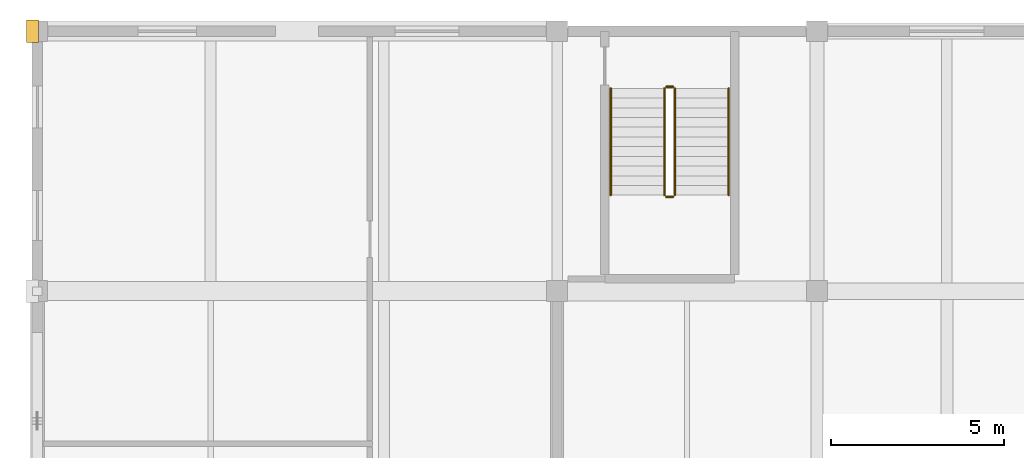
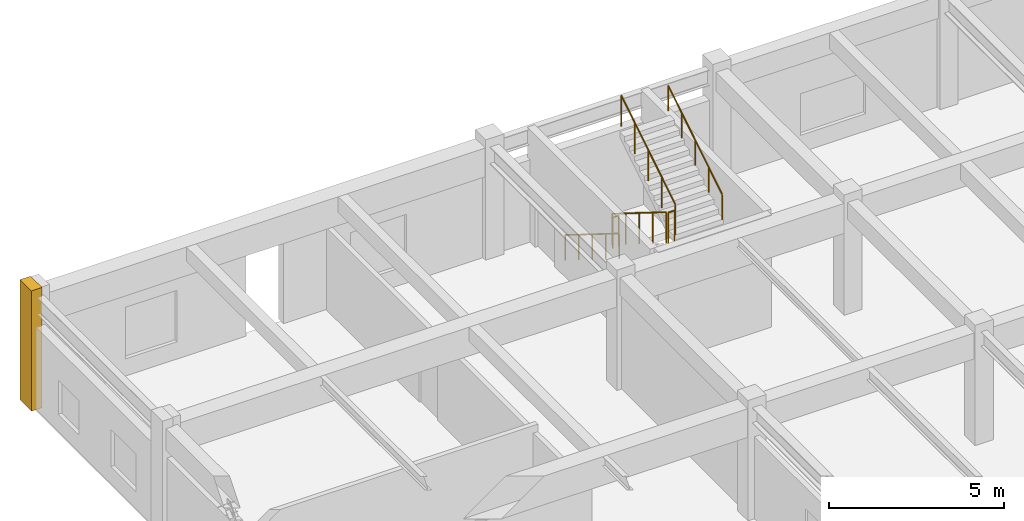
# One storey, part 121 of 124: 6 railings, 1 covering.
"""IFC4 building model written with IfcOpenShell, lengths in metres."""

from ifc_helpers import new_model, si_unit, direction, frame, origin, origin_2d, place, context, subcontext, project, spatial, rectangle, circle, extrude, material, layer, layer_set, type_object, element, save


model = new_model("IFC4")

# Units and contexts
model_context = context("Model", 3, precision=1e-05, world=origin(), true_north=direction((0.0, 1.0)))
body_context = subcontext(model_context, "Body", "Model", "MODEL_VIEW")
ifc_project = project(units=[si_unit("LENGTHUNIT", "METRE"), si_unit("AREAUNIT", "SQUARE_METRE"), si_unit("VOLUMEUNIT", "CUBIC_METRE"), si_unit("PLANEANGLEUNIT", "RADIAN"), si_unit("MASSUNIT", "GRAM", prefix="KILO")], contexts=[model_context])

# Site, building, storey
site_placement = place(None, origin())
site = spatial("IfcSite", under=ifc_project, at=site_placement, CompositionType="ELEMENT")
building_placement = place(site_placement, origin())
building = spatial("IfcBuilding", under=site, at=building_placement, Name="Qasida Concert Hall", CompositionType="ELEMENT")
storey_placement = place(building_placement, frame((0.0, 0.0, 9.0)))
storey = spatial("IfcBuildingStorey", under=building, at=storey_placement, Name="L02", CompositionType="ELEMENT", Elevation=9.0)

# Covering
ifc_material_1 = material(Name="Projecting fluted Lebanese limestone Art Deco pilaster", Category="masonry")
ifc_layer_1 = layer(ifc_material_1, 0.35009765625, Name="Projecting fluted Lebanese limestone Art Deco pilaster")
ifc_layer_set_1 = layer_set([ifc_layer_1], Name="Projecting fluted Lebanese limestone Art Deco pilaster")
covering_type = type_object("IfcCoveringType", Name="CV-PIL-650", PredefinedType="CLADDING", material=ifc_layer_set_1)
covering_placement = place(storey_placement, frame((-0.135009765625, 112.5, 0.0), z_axis=(0.0, 0.0, 1.0), x_axis=(1.0, 0.0, 0.0)))
element("IfcCovering", 1, at=covering_placement, inside=storey, type_object=covering_type, Name="L02 fluted limestone pilaster 0302", PredefinedType="CLADDING", context=body_context, shape_type="SweptSolid", body=[
    extrude(rectangle(XDim=0.35009765625, YDim=0.64990234375, at=origin_2d()), origin(), (0.0, 0.0, 1.0), 4.199951171875),
])

# Railings
ifc_material_2 = material(Name="Patinated architectural bronze and laminated glass infill", Category="glass")
ifc_layer_2 = layer(ifc_material_2, 0.080078125, Name="Patinated architectural bronze and laminated glass infill")
ifc_layer_set_2 = layer_set([ifc_layer_2], Name="Patinated architectural bronze and laminated glass infill")
railing_type_1 = type_object("IfcRailingType", Name="RL-GRD-1100", PredefinedType="GUARDRAIL", material=ifc_layer_set_2)
railing_1_placement = place(storey_placement, frame((18.10009765625, 110.85009765625, 0.175048828125)))
element("IfcRailing", 2, at=railing_1_placement, inside=storey, type_object=railing_type_1, Name="L02 ST-06 stair guard 1", PredefinedType="GUARDRAIL", context=body_context, shape_type="SweptSolid", body=[
    extrude(circle(Radius=0.02392578125, at=origin_2d()), frame((0.0, 0.0, 1.076171875), z_axis=(0.0, -0.847998304005, 0.529998940003), x_axis=(1.0, 0.0, 0.0)), (0.0, 0.0, 1.0), 3.632080078125),
    extrude(circle(Radius=0.02099609375, at=origin_2d()), origin(), (0.0, 0.0, 1.0), 1.052001953125),
    extrude(circle(Radius=0.02099609375, at=origin_2d()), frame((0.0, -0.77001953125, 0.481201171875)), (0.0, 0.0, 1.0), 1.052001953125),
    extrude(circle(Radius=0.02099609375, at=origin_2d()), frame((0.0, -1.5400390625, 0.96240234375)), (0.0, 0.0, 1.0), 1.052001953125),
    extrude(circle(Radius=0.02099609375, at=origin_2d()), frame((0.0, -2.31005859375, 1.44384765625)), (0.0, 0.0, 1.0), 1.052001953125),
    extrude(circle(Radius=0.02099609375, at=origin_2d()), frame((0.0, -3.080078125, 1.925048828125)), (0.0, 0.0, 1.0), 1.052001953125),
])
railing_2_placement = place(storey_placement, frame((18.14990234375, 107.719970703125, 2.10009765625)))
element("IfcRailing", 3, at=railing_2_placement, inside=storey, type_object=railing_type_1, Name="L02 ST-06 stair guard 2", PredefinedType="GUARDRAIL", context=body_context, shape_type="SweptSolid", body=[
    extrude(circle(Radius=0.02392578125, at=origin_2d()), frame((0.0, 0.0, 1.076171875), z_axis=(1.0, 0.0, 0.0), x_axis=(0.0, 1.0, 0.0)), (0.0, 0.0, 1.0), 0.2001953125),
    extrude(circle(Radius=0.02099609375, at=origin_2d()), origin(), (0.0, 0.0, 1.0), 1.052001953125),
    extrude(circle(Radius=0.02099609375, at=origin_2d()), frame((0.2001953125, 0.0, 0.0)), (0.0, 0.0, 1.0), 1.052001953125),
])
railing_3_placement = place(storey_placement, frame((18.39990234375, 107.77001953125, 2.27490234375)))
element("IfcRailing", 4, at=railing_3_placement, inside=storey, type_object=railing_type_1, Name="L02 ST-06 stair guard 3", PredefinedType="GUARDRAIL", context=body_context, shape_type="SweptSolid", body=[
    extrude(circle(Radius=0.02392578125, at=origin_2d()), frame((0.0, 0.0, 1.076171875), z_axis=(0.0, 0.847998304005, 0.529998940003), x_axis=(-1.0, 0.0, 0.0)), (0.0, 0.0, 1.0), 3.632080078125),
    extrude(circle(Radius=0.02099609375, at=origin_2d()), origin(), (0.0, 0.0, 1.0), 1.052001953125),
    extrude(circle(Radius=0.02099609375, at=origin_2d()), frame((0.0, 0.77001953125, 0.481201171875)), (0.0, 0.0, 1.0), 1.052001953125),
    extrude(circle(Radius=0.02099609375, at=origin_2d()), frame((0.0, 1.5400390625, 0.96240234375)), (0.0, 0.0, 1.0), 1.052001953125),
    extrude(circle(Radius=0.02099609375, at=origin_2d()), frame((0.0, 2.31005859375, 1.44384765625)), (0.0, 0.0, 1.0), 1.052001953125),
    extrude(circle(Radius=0.02099609375, at=origin_2d()), frame((0.0, 3.080078125, 1.925048828125)), (0.0, 0.0, 1.0), 1.052001953125),
])
railing_4_placement = place(storey_placement, frame((18.14990234375, 110.89990234375, 0.0)))
element("IfcRailing", 5, at=railing_4_placement, inside=storey, type_object=railing_type_1, Name="L02 ST-06 stair guard 4", PredefinedType="GUARDRAIL", context=body_context, shape_type="SweptSolid", body=[
    extrude(circle(Radius=0.02392578125, at=origin_2d()), frame((0.0, 0.0, 1.076171875), z_axis=(1.0, 0.0, 0.0), x_axis=(0.0, 1.0, 0.0)), (0.0, 0.0, 1.0), 0.2001953125),
    extrude(circle(Radius=0.02099609375, at=origin_2d()), origin(), (0.0, 0.0, 1.0), 1.052001953125),
    extrude(circle(Radius=0.02099609375, at=origin_2d()), frame((0.2001953125, 0.0, 0.0)), (0.0, 0.0, 1.0), 1.052001953125),
])
ifc_material_3 = material(Name="Patinated tubular architectural bronze", Category="steel")
ifc_layer_3 = layer(ifc_material_3, 0.050048828125, Name="Patinated tubular architectural bronze")
ifc_layer_set_3 = layer_set([ifc_layer_3], Name="Patinated tubular architectural bronze")
railing_type_2 = type_object("IfcRailingType", Name="RL-HND-900", PredefinedType="HANDRAIL", material=ifc_layer_set_3)
railing_5_placement = place(storey_placement, frame((16.550048828125, 110.85009765625, 0.175048828125)))
element("IfcRailing", 6, at=railing_5_placement, inside=storey, type_object=railing_type_2, Name="L02 ST-06 stair handrail 1", PredefinedType="HANDRAIL", context=body_context, shape_type="SweptSolid", body=[
    extrude(circle(Radius=0.02392578125, at=origin_2d()), frame((0.0, 0.0, 0.8759765625), z_axis=(0.0, -0.847998304005, 0.529998940003), x_axis=(1.0, 0.0, 0.0)), (0.0, 0.0, 1.0), 3.632080078125),
    extrude(circle(Radius=0.02099609375, at=origin_2d()), origin(), (0.0, 0.0, 1.0), 0.851806640625),
    extrude(circle(Radius=0.02099609375, at=origin_2d()), frame((0.0, -0.77001953125, 0.481201171875)), (0.0, 0.0, 1.0), 0.851806640625),
    extrude(circle(Radius=0.02099609375, at=origin_2d()), frame((0.0, -1.5400390625, 0.96240234375)), (0.0, 0.0, 1.0), 0.851806640625),
    extrude(circle(Radius=0.02099609375, at=origin_2d()), frame((0.0, -2.31005859375, 1.44384765625)), (0.0, 0.0, 1.0), 0.851806640625),
    extrude(circle(Radius=0.02099609375, at=origin_2d()), frame((0.0, -3.080078125, 1.925048828125)), (0.0, 0.0, 1.0), 0.851806640625),
])
railing_6_placement = place(storey_placement, frame((19.949951171875, 107.77001953125, 2.27490234375)))
element("IfcRailing", 7, at=railing_6_placement, inside=storey, type_object=railing_type_2, Name="L02 ST-06 stair handrail 2", PredefinedType="HANDRAIL", context=body_context, shape_type="SweptSolid", body=[
    extrude(circle(Radius=0.02392578125, at=origin_2d()), frame((0.0, 0.0, 0.8759765625), z_axis=(0.0, 0.847998304005, 0.529998940003), x_axis=(-1.0, 0.0, 0.0)), (0.0, 0.0, 1.0), 3.632080078125),
    extrude(circle(Radius=0.02099609375, at=origin_2d()), origin(), (0.0, 0.0, 1.0), 0.851806640625),
    extrude(circle(Radius=0.02099609375, at=origin_2d()), frame((0.0, 0.77001953125, 0.481201171875)), (0.0, 0.0, 1.0), 0.851806640625),
    extrude(circle(Radius=0.02099609375, at=origin_2d()), frame((0.0, 1.5400390625, 0.96240234375)), (0.0, 0.0, 1.0), 0.851806640625),
    extrude(circle(Radius=0.02099609375, at=origin_2d()), frame((0.0, 2.31005859375, 1.44384765625)), (0.0, 0.0, 1.0), 0.851806640625),
    extrude(circle(Radius=0.02099609375, at=origin_2d()), frame((0.0, 3.080078125, 1.925048828125)), (0.0, 0.0, 1.0), 0.851806640625),
])

save(model, "model.ifc")
